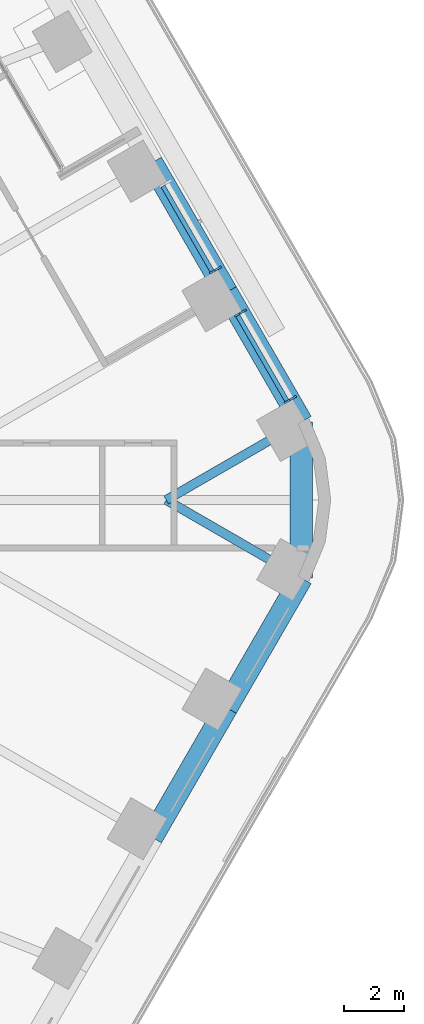
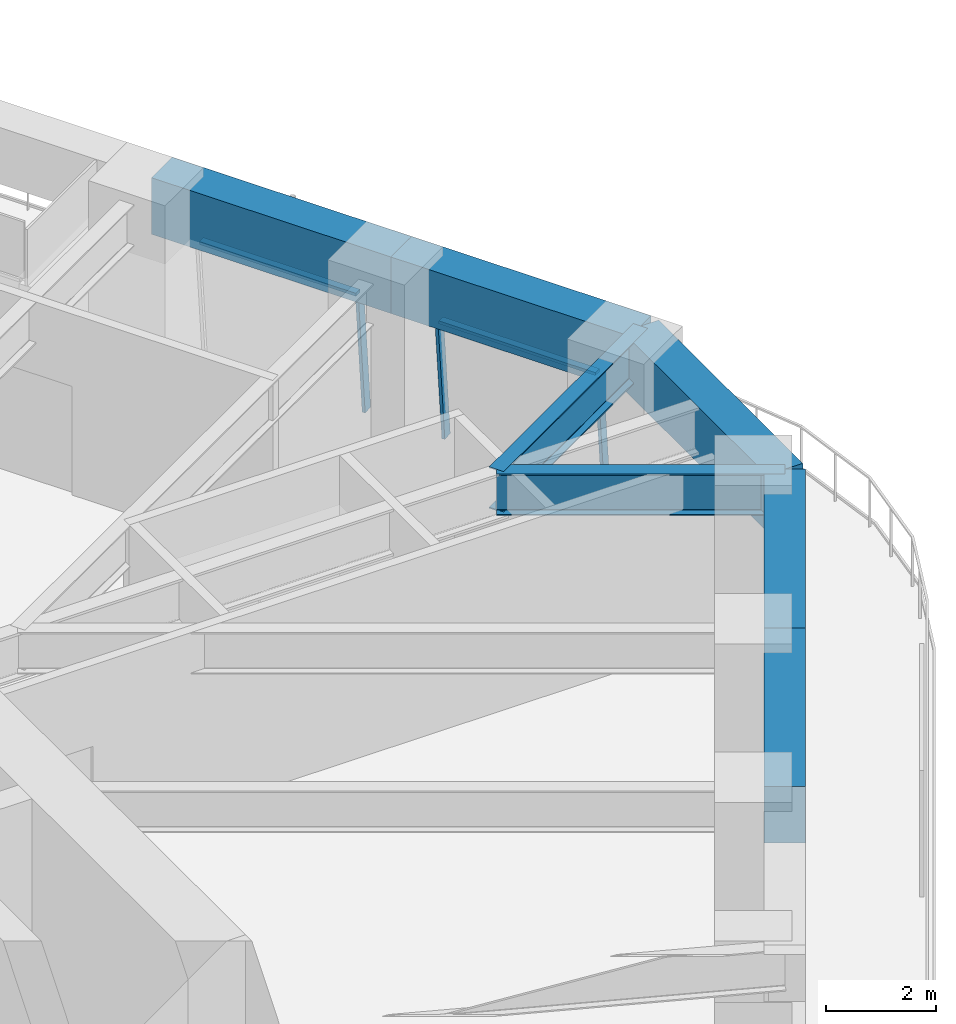
# One storey, part 14 of 24: 7 beams, 5 members, 2 elements without a shape of their own.
"""IFC4 building model written with IfcOpenShell, lengths in metres."""

from ifc_helpers import new_model, si_unit, direction, frame, origin, origin_2d, place, context, subcontext, project, spatial, rectangle, i_section, extrude, material, material_profile, profile_set, type_object, element, aggregate, save


model = new_model("IFC4")

# Units and contexts
model_context = context("Model", 3, precision=1e-05, world=origin(), true_north=direction((0.0, 1.0)))
body_context = subcontext(model_context, "Body", "Model", "MODEL_VIEW")
ifc_project = project(units=[si_unit("LENGTHUNIT", "METRE"), si_unit("AREAUNIT", "SQUARE_METRE"), si_unit("VOLUMEUNIT", "CUBIC_METRE"), si_unit("PLANEANGLEUNIT", "RADIAN"), si_unit("MASSUNIT", "GRAM", prefix="KILO")], contexts=[model_context])

# Site, building, storey
site_placement = place(None, origin())
site = spatial("IfcSite", under=ifc_project, at=site_placement, CompositionType="ELEMENT")
building_placement = place(site_placement, origin())
building = spatial("IfcBuilding", under=site, at=building_placement, Name="Tarfa Lantern Tower", CompositionType="ELEMENT")
storey_placement = place(building_placement, frame((0.0, 0.0, 178.300048828125)))
storey = spatial("IfcBuildingStorey", under=building, at=storey_placement, Name="L40", CompositionType="ELEMENT", Elevation=178.300048828125)

# Curtain wall, members
ifc_material_1 = material(Name="Aluminium framed curtain wall", Category="aluminium")
curtain_wall_type = type_object("IfcCurtainWallType", Name="CW2 CANTED GLAZING MID ZONE 2750", PredefinedType="USERDEFINED", material=ifc_material_1)
curtain_wall_1_placement = place(storey_placement, origin())
curtain_wall_1 = element("IfcCurtainWall", 1, at=curtain_wall_1_placement, inside=storey, type_object=curtain_wall_type, Name="CW2 NE L40", ObjectType="CURTAIN WALL", PredefinedType="USERDEFINED")
ifc_material_2 = material(Name="Aluminium mullion", Category="aluminium")
ifc_material_profile_1 = material_profile(ifc_material_2, rectangle(XDim=0.06494140625, YDim=0.199951171875, at=origin_2d()), Name="AL MULLION 65x200")
ifc_profile_set_1 = profile_set([ifc_material_profile_1], Name="Aluminium mullion")
member_type_1 = type_object("IfcMemberType", Name="CWM1 MULLION 65x200", PredefinedType="MULLION", material=ifc_profile_set_1)
member_1_placement = place(storey_placement, frame((34.282470703125, 3.4208984375, 0.0), z_axis=(-0.078422950161, -0.045267813396, 0.995891894715), x_axis=(0.499919672301, -0.866071776036, 0.0)))
member_1 = element("IfcMember", 2, at=member_1_placement, type_object=member_type_1, Name="CW2 mullion 1", PredefinedType="MULLION", context=body_context, shape_type="SweptSolid", body=[
    extrude(rectangle(XDim=0.06494140625, YDim=0.199951171875, at=origin_2d()), origin(), (0.0, 0.0, 1.0), 2.76123046875),
])
member_2_placement = place(storey_placement, frame((32.613037109375, 6.312255859375, 0.0), z_axis=(-0.078335079308, -0.045268127094, 0.995898796073), x_axis=(0.500342721131, -0.865827443207, 0.0)))
member_2 = element("IfcMember", 3, at=member_2_placement, type_object=member_type_1, Name="CW2 mullion 2", PredefinedType="MULLION", context=body_context, shape_type="SweptSolid", body=[
    extrude(rectangle(XDim=0.06494140625, YDim=0.199951171875, at=origin_2d()), origin(), (0.0, 0.0, 1.0), 2.76123046875),
])

# Curtain wall, member
curtain_wall_2_placement = place(storey_placement, origin())
curtain_wall_2 = element("IfcCurtainWall", 4, at=curtain_wall_2_placement, inside=storey, type_object=curtain_wall_type, Name="CW2 NE L40", ObjectType="CURTAIN WALL", PredefinedType="USERDEFINED")
member_3_placement = place(storey_placement, frame((31.78076171875, 7.75439453125, 0.0), z_axis=(-0.078422950161, -0.045267813396, 0.995891894715), x_axis=(0.499919672301, -0.866071776036, 0.0)))
member_3 = element("IfcMember", 5, at=member_3_placement, type_object=member_type_1, Name="CW2 mullion 1", PredefinedType="MULLION", context=body_context, shape_type="SweptSolid", body=[
    extrude(rectangle(XDim=0.06494140625, YDim=0.199951171875, at=origin_2d()), origin(), (0.0, 0.0, 1.0), 2.76123046875),
])

# Member
ifc_material_3 = material(Name="Aluminium transom", Category="aluminium")
ifc_material_profile_2 = material_profile(ifc_material_3, rectangle(XDim=0.14990234375, YDim=0.06494140625, at=origin_2d()), Name="AL TRANSOM 150x65")
ifc_profile_set_2 = profile_set([ifc_material_profile_2], Name="Aluminium transom")
member_type_2 = type_object("IfcMemberType", Name="CWT1 TRANSOM 150x65", PredefinedType="USERDEFINED", material=ifc_profile_set_2)
member_4_placement = place(storey_placement, frame((34.05224609375, 3.32568359375, 2.717529296875), z_axis=(-0.499989298045, 0.866031582473, 0.0), x_axis=(-0.866031582473, -0.499989298045, 0.0)))
member_4 = element("IfcMember", 6, at=member_4_placement, type_object=member_type_2, Name="CW2 transom 1.2", ObjectType="TRANSOM", PredefinedType="USERDEFINED", context=body_context, shape_type="SweptSolid", body=[
    extrude(rectangle(XDim=0.14990234375, YDim=0.06494140625, at=origin_2d()), origin(), (0.0, 0.0, 1.0), 3.2734375),
])

aggregate(curtain_wall_1, [member_1, member_2, member_4])

member_5_placement = place(storey_placement, frame((31.550537109375, 7.658935546875, 2.717529296875), z_axis=(-0.500012937857, 0.86601793398, 0.0), x_axis=(-0.86601793398, -0.500012937857, 0.0)))
member_5 = element("IfcMember", 7, at=member_5_placement, type_object=member_type_2, Name="CW2 transom 1.2", ObjectType="TRANSOM", PredefinedType="USERDEFINED", context=body_context, shape_type="SweptSolid", body=[
    extrude(rectangle(XDim=0.14990234375, YDim=0.06494140625, at=origin_2d()), origin(), (0.0, 0.0, 1.0), 3.27392578125),
])

aggregate(curtain_wall_2, [member_3, member_5])

# Beams
ifc_material_4 = material(Name="Concrete C80/95", Category="concrete")
ifc_material_profile_3 = material_profile(ifc_material_4, rectangle(XDim=0.75, YDim=1.25, at=origin_2d()), Name="RC 750x1250")
ifc_profile_set_3 = profile_set([ifc_material_profile_3], Name="Concrete C80/95")
beam_type_1 = type_object("IfcBeamType", Name="EB2 RC 750x1250", PredefinedType="SPANDREL", material=ifc_profile_set_3)
for number, where, z_axis, x_axis, name in (
    (8, (34.54296875, 2.610107421875, 3.375), (-0.500022324899, 0.866012514114, 0.0), (-0.866012514114, -0.500022324899, 0.0), "Edge beam NE0"),
    (9, (32.041015625, 6.943359375, 3.375), (-0.500022324899, 0.866012514114, 0.0), (-0.866012514114, -0.500022324899, 0.0), "Edge beam NE1"),
    (10, (29.5390625, -11.276611328125, 3.375), (0.500022324899, 0.866012514114, 0.0), (-0.866012514114, 0.500022324899, 0.0), "Edge beam SE4"),
    (11, (32.041015625, -6.943359375, 3.375), (0.500022324899, 0.866012514114, 0.0), (-0.866012514114, 0.500022324899, 0.0), "Edge beam SE5"),
):
    element("IfcBeam", number, at=place(storey_placement, frame(where, z_axis=z_axis, x_axis=x_axis)), inside=storey, type_object=beam_type_1, Name=name, PredefinedType="SPANDREL", context=body_context, shape_type="SweptSolid", body=[
        extrude(rectangle(XDim=0.75, YDim=1.25, at=origin_2d()), origin(), (0.0, 0.0, 1.0), 5.003662109375),
    ])
beam_placement = place(storey_placement, frame((34.54296875, -2.610107421875, 3.375), z_axis=(0.0, 1.0, 0.0), x_axis=(-1.0, 0.0, 0.0)))
element("IfcBeam", 12, at=beam_placement, inside=storey, type_object=beam_type_1, Name="Edge beam SE6", PredefinedType="SPANDREL", context=body_context, shape_type="SweptSolid", body=[
    extrude(rectangle(XDim=0.75, YDim=1.25, at=origin_2d()), origin(), (0.0, 0.0, 1.0), 5.22021484375),
])
ifc_material_5 = material(Name="Steel S460M", Category="steel")
ifc_material_profile_4 = material_profile(ifc_material_5, i_section(OverallWidth=0.305419921875, OverallDepth=0.91845703125, WebThickness=0.017333984375, FlangeThickness=0.02783203125, FilletRadius=0.01904296875, at=origin_2d()), Name="UB914x305x253")
ifc_profile_set_4 = profile_set([ifc_material_profile_4], Name="Steel S460M")
beam_type_2 = type_object("IfcBeamType", Name="UB914x305x253", PredefinedType="BEAM", material=ifc_profile_set_4)
for number, where, z_axis, x_axis, name in (
    (13, (34.54296875, 2.610107421875, 3.540771484375), (-0.866021250859, -0.500007193008, 0.0), (0.500007193008, -0.866021250859, 0.0), "Floor beam NE0"),
    (14, (34.54296875, -2.610107421875, 3.540771484375), (-0.866021250859, 0.500007193008, 0.0), (-0.500007193008, -0.866021250859, 0.0), "Floor beam SE6"),
):
    element("IfcBeam", number, at=place(storey_placement, frame(where, z_axis=z_axis, x_axis=x_axis)), inside=storey, type_object=beam_type_2, Name=name, PredefinedType="BEAM", context=body_context, shape_type="SweptSolid", body=[
        extrude(i_section(OverallWidth=0.305419921875, OverallDepth=0.91845703125, WebThickness=0.017333984375, FlangeThickness=0.02783203125, FilletRadius=0.01904296875, at=origin_2d()), origin(), (0.0, 0.0, 1.0), 5.22021484375),
    ])

save(model, "model.ifc")
